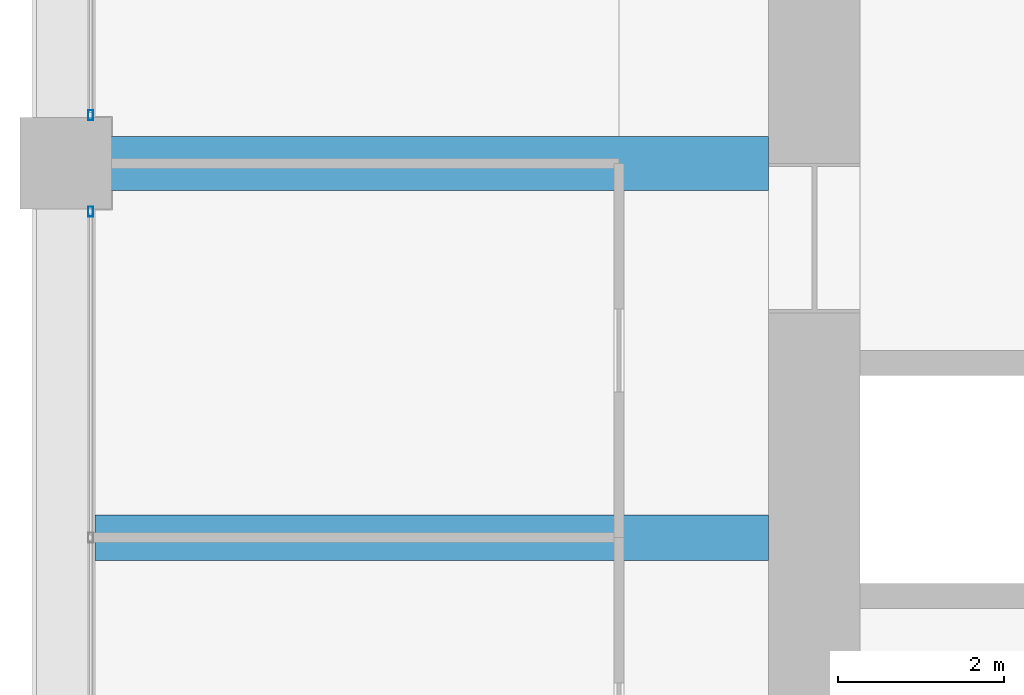
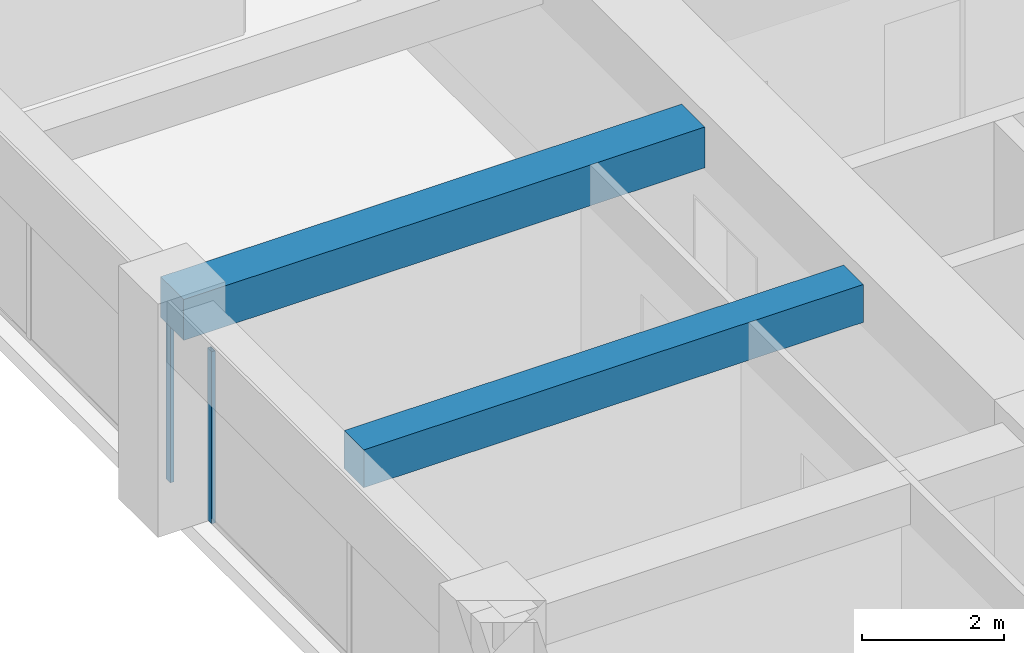
# One storey, part 15 of 44: 2 beams, 2 members, 2 elements without a shape of their own.
"""IFC4 building model written with IfcOpenShell, lengths in metres."""

from ifc_helpers import new_model, si_unit, direction, frame, origin, origin_2d, place, context, subcontext, project, spatial, rectangle, hollow_rectangle, extrude, material, material_profile, profile_set, type_object, element, aggregate, save


model = new_model("IFC4")

# Units and contexts
model_context = context("Model", 3, precision=1e-05, world=origin(), true_north=direction((0.0, 1.0)))
body_context = subcontext(model_context, "Body", "Model", "MODEL_VIEW")
ifc_project = project(units=[si_unit("LENGTHUNIT", "METRE"), si_unit("AREAUNIT", "SQUARE_METRE"), si_unit("VOLUMEUNIT", "CUBIC_METRE"), si_unit("PLANEANGLEUNIT", "RADIAN"), si_unit("MASSUNIT", "GRAM", prefix="KILO")], contexts=[model_context])

# Site, building, storey
site_placement = place(None, origin())
site = spatial("IfcSite", under=ifc_project, at=site_placement, CompositionType="ELEMENT")
building_placement = place(site_placement, origin())
building = spatial("IfcBuilding", under=site, at=building_placement, Name="Zorevar Civic Tower", CompositionType="ELEMENT")
storey_placement = place(building_placement, frame((0.0, 0.0, 275.39990234375)))
storey = spatial("IfcBuildingStorey", under=building, at=storey_placement, Name="L67", CompositionType="ELEMENT", Elevation=275.39990234375)

# Beams
ifc_material_1 = material(Name="Concrete C50/60", Category="concrete")
ifc_material_profile_1 = material_profile(ifc_material_1, rectangle(XDim=0.550048828125, YDim=0.64990234375, at=origin_2d()), Name="RC 550x650")
ifc_profile_set_1 = profile_set([ifc_material_profile_1], Name="Concrete C50/60")
beam_type_1 = type_object("IfcBeamType", Name="Beam RC 550x650", PredefinedType="BEAM", material=ifc_profile_set_1)
beam_1_placement = place(storey_placement, frame((9.35009765625, 22.5, 3.425048828125), z_axis=(1.0, 0.0, 0.0), x_axis=(0.0, 1.0, 0.0)))
element("IfcBeam", 1, at=beam_1_placement, inside=storey, type_object=beam_type_1, Name="Secondary beam L68", PredefinedType="BEAM", context=body_context, shape_type="SweptSolid", body=[
    extrude(rectangle(XDim=0.550048828125, YDim=0.64990234375, at=origin_2d()), origin(), (0.0, 0.0, 1.0), 8.099853515625),
])
ifc_material_2 = material(Name="Concrete C50/60", Category="concrete")
ifc_material_profile_2 = material_profile(ifc_material_2, rectangle(XDim=0.64990234375, YDim=0.699951171875, at=origin_2d()), Name="RC 650x700")
ifc_profile_set_2 = profile_set([ifc_material_profile_2], Name="Concrete C50/60")
beam_type_2 = type_object("IfcBeamType", Name="Beam RC 650x700", PredefinedType="BEAM", material=ifc_profile_set_2)
beam_2_placement = place(storey_placement, frame((9.0, 27.0, 3.400146484375), z_axis=(1.0, 0.0, 0.0), x_axis=(0.0, 1.0, 0.0)))
element("IfcBeam", 2, at=beam_2_placement, inside=storey, type_object=beam_type_2, Name="Girder L68", PredefinedType="BEAM", context=body_context, shape_type="SweptSolid", body=[
    extrude(rectangle(XDim=0.64990234375, YDim=0.699951171875, at=origin_2d()), origin(), (0.0, 0.0, 1.0), 8.449951171875),
])

# Curtain wall, member
ifc_material_3 = material(Name="Dark grey solar-control glass in black aluminium frame", Category="aluminium")
curtain_wall_type = type_object("IfcCurtainWallType", Name="Curtain wall CW5 top zone", PredefinedType="NOTDEFINED", material=ifc_material_3)
curtain_wall_1_placement = place(storey_placement, origin())
curtain_wall_1 = element("IfcCurtainWall", 3, at=curtain_wall_1_placement, inside=storey, type_object=curtain_wall_type, Name="CW5 L67", PredefinedType="NOTDEFINED")
ifc_material_4 = material(Name="Aluminium, black anodised", Category="aluminium")
ifc_material_profile_3 = material_profile(ifc_material_4, hollow_rectangle(XDim=0.06005859375, YDim=0.1201171875, WallThickness=0.0029296875, at=origin_2d()), Name="AL 120x60x3")
ifc_profile_set_3 = profile_set([ifc_material_profile_3], Name="Aluminium, black anodised")
member_type = type_object("IfcMemberType", Name="CW5 mullion AL 120x60x3", PredefinedType="MULLION", material=ifc_profile_set_3)
member_1_placement = place(storey_placement, frame((9.300048828125, 26.419921875, 0.0), z_axis=(0.0, 0.0, 1.0), x_axis=(-1.0, 0.0, 0.0)))
member_1 = element("IfcMember", 4, at=member_1_placement, type_object=member_type, Name="CW5 mullion 3", PredefinedType="MULLION", context=body_context, shape_type="SweptSolid", body=[
    extrude(hollow_rectangle(XDim=0.06005859375, YDim=0.1201171875, WallThickness=0.0029296875, at=origin_2d()), origin(), (0.0, 0.0, 1.0), 2.9501953125),
])
aggregate(curtain_wall_1, [member_1])

curtain_wall_2_placement = place(storey_placement, origin())
curtain_wall_2 = element("IfcCurtainWall", 5, at=curtain_wall_2_placement, inside=storey, type_object=curtain_wall_type, Name="CW5 L67", PredefinedType="NOTDEFINED")
member_2_placement = place(storey_placement, frame((9.300048828125, 27.580078125, 0.0), z_axis=(0.0, 0.0, 1.0), x_axis=(-1.0, 0.0, 0.0)))
member_2 = element("IfcMember", 6, at=member_2_placement, type_object=member_type, Name="CW5 mullion 1", PredefinedType="MULLION", context=body_context, shape_type="SweptSolid", body=[
    extrude(hollow_rectangle(XDim=0.06005859375, YDim=0.1201171875, WallThickness=0.0029296875, at=origin_2d()), origin(), (0.0, 0.0, 1.0), 2.9501953125),
])
aggregate(curtain_wall_2, [member_2])

save(model, "model.ifc")
